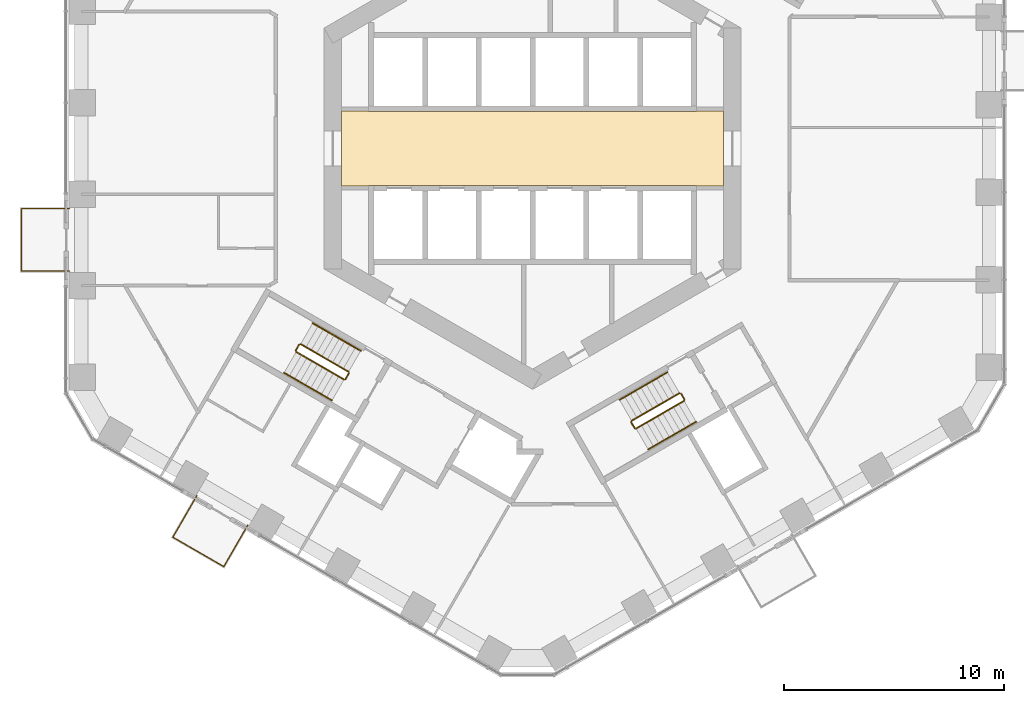
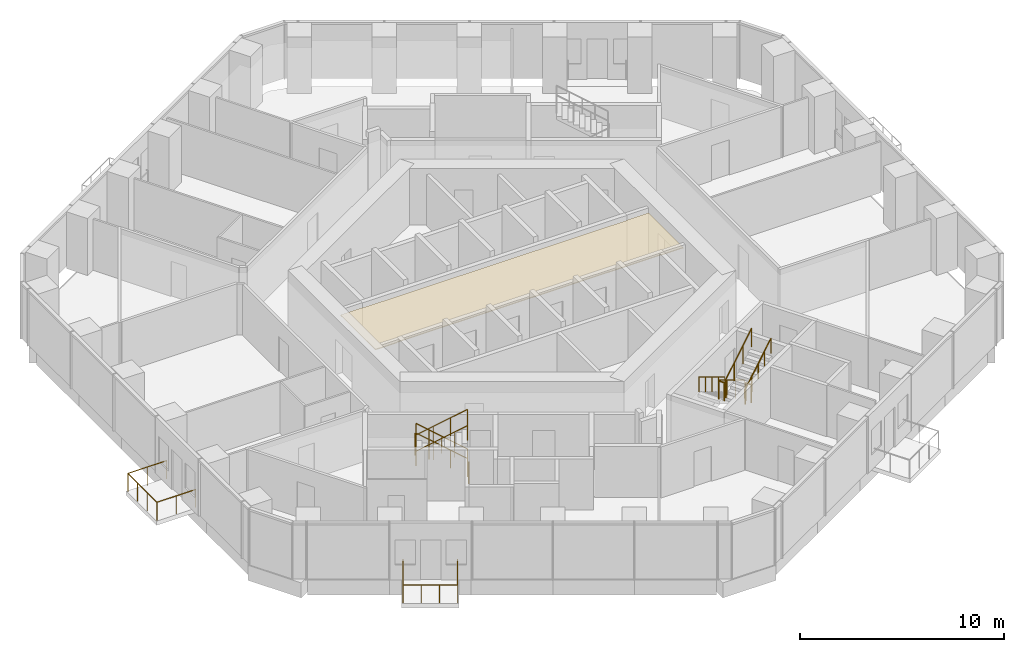
# One storey, part 17 of 19: 18 railings, 1 covering.
"""IFC4 building model written with IfcOpenShell, lengths in metres."""

from ifc_helpers import new_model, si_unit, direction, frame, origin, origin_2d, place, context, subcontext, project, spatial, polyline, circle, outline, extrude, material, layer, layer_set, type_object, element, save


model = new_model("IFC4")

# Units and contexts
model_context = context("Model", 3, precision=1e-05, world=origin(), true_north=direction((0.0, 1.0)))
body_context = subcontext(model_context, "Body", "Model", "MODEL_VIEW")
ifc_project = project(units=[si_unit("LENGTHUNIT", "METRE"), si_unit("AREAUNIT", "SQUARE_METRE"), si_unit("VOLUMEUNIT", "CUBIC_METRE"), si_unit("PLANEANGLEUNIT", "RADIAN"), si_unit("MASSUNIT", "GRAM", prefix="KILO")], contexts=[model_context])

# Site, building, storey
site_placement = place(None, origin())
site = spatial("IfcSite", under=ifc_project, at=site_placement, CompositionType="ELEMENT")
building_placement = place(site_placement, origin())
building = spatial("IfcBuilding", under=site, at=building_placement, Name="Ayvan Gate Tower", CompositionType="ELEMENT")
storey_placement = place(building_placement, frame((0.0, 0.0, 39.10009765625)))
storey = spatial("IfcBuildingStorey", under=building, at=storey_placement, Name="L09", CompositionType="ELEMENT", Elevation=39.10009765625)

# Railings
ifc_material_1 = material(Name="Stainless steel 316 and laminated glass", Category="steel")
railing_type_1 = type_object("IfcRailingType", Name="Balcony balustrade 1100", PredefinedType="BALUSTRADE", material=ifc_material_1)
railing_1_placement = place(storey_placement, frame((-21.09716796875, -2.740966796875, 0.0)))
element("IfcRailing", 1, at=railing_1_placement, inside=storey, type_object=railing_type_1, Name="Balcony balustrade BAL-L09-3", PredefinedType="BALUSTRADE", context=body_context, shape_type="SweptSolid", body=[
    extrude(circle(Radius=0.02490234375, at=origin_2d()), frame((0.0, 0.0, 1.0751953125), z_axis=(-1.0, 0.0, 0.0), x_axis=(0.0, -1.0, 0.0)), (0.0, 0.0, 1.0), 2.18994140625),
    extrude(circle(Radius=0.02490234375, at=origin_2d()), frame((-2.18994140625, 0.0, 1.0751953125), z_axis=(0.0, -1.0, 0.0), x_axis=(1.0, 0.0, 0.0)), (0.0, 0.0, 1.0), 2.842041015625),
    extrude(circle(Radius=0.02490234375, at=origin_2d()), frame((-2.18994140625, -2.842041015625, 1.0751953125), z_axis=(1.0, 0.0, 0.0), x_axis=(0.0, 1.0, 0.0)), (0.0, 0.0, 1.0), 2.18994140625),
    extrude(circle(Radius=0.02001953125, at=origin_2d()), origin(), (0.0, 0.0, 1.0), 1.050048828125),
    extrude(circle(Radius=0.02001953125, at=origin_2d()), frame((-1.094970703125, 0.0, 0.0)), (0.0, 0.0, 1.0), 1.050048828125),
    extrude(circle(Radius=0.02001953125, at=origin_2d()), frame((-2.18994140625, 0.0, 0.0)), (0.0, 0.0, 1.0), 1.050048828125),
    extrude(circle(Radius=0.02001953125, at=origin_2d()), frame((-2.18994140625, -0.947265625, 0.0)), (0.0, 0.0, 1.0), 1.050048828125),
    extrude(circle(Radius=0.02001953125, at=origin_2d()), frame((-2.18994140625, -1.894775390625, 0.0)), (0.0, 0.0, 1.0), 1.050048828125),
    extrude(circle(Radius=0.02001953125, at=origin_2d()), frame((-2.18994140625, -2.842041015625, 0.0)), (0.0, 0.0, 1.0), 1.050048828125),
    extrude(circle(Radius=0.02001953125, at=origin_2d()), frame((-1.094970703125, -2.842041015625, 0.0)), (0.0, 0.0, 1.0), 1.050048828125),
    extrude(circle(Radius=0.02001953125, at=origin_2d()), frame((0.0, -2.842041015625, 0.0)), (0.0, 0.0, 1.0), 1.050048828125),
])
railing_2_placement = place(storey_placement, frame((-15.28857421875, -15.80810546875, 0.0)))
element("IfcRailing", 2, at=railing_2_placement, inside=storey, type_object=railing_type_1, Name="Balcony balustrade BAL-L09-4", PredefinedType="BALUSTRADE", context=body_context, shape_type="SweptSolid", body=[
    extrude(circle(Radius=0.02490234375, at=origin_2d()), frame((0.0, 0.0, 1.0751953125), z_axis=(-0.499963694393, -0.866046363822, 0.0), x_axis=(0.866046363822, -0.499963694393, 0.0)), (0.0, 0.0, 1.0), 2.190185546875),
    extrude(circle(Radius=0.02490234375, at=origin_2d()), frame((-1.094970703125, -1.896728515625, 1.0751953125), z_axis=(0.86602917496, -0.499993468075, 0.0), x_axis=(0.499993468075, 0.86602917496, 0.0)), (0.0, 0.0, 1.0), 2.67724609375),
    extrude(circle(Radius=0.02490234375, at=origin_2d()), frame((1.2236328125, -3.2353515625, 1.0751953125), z_axis=(0.500011965869, 0.866018495177, 0.0), x_axis=(-0.866018495177, 0.500011965869, 0.0)), (0.0, 0.0, 1.0), 2.18994140625),
    extrude(circle(Radius=0.02001953125, at=origin_2d()), origin(), (0.0, 0.0, 1.0), 1.050048828125),
    extrude(circle(Radius=0.02001953125, at=origin_2d()), frame((-0.54736328125, -0.9482421875, 0.0)), (0.0, 0.0, 1.0), 1.050048828125),
    extrude(circle(Radius=0.02001953125, at=origin_2d()), frame((-1.094970703125, -1.896728515625, 0.0)), (0.0, 0.0, 1.0), 1.050048828125),
    extrude(circle(Radius=0.02001953125, at=origin_2d()), frame((-0.322021484375, -2.343017578125, 0.0)), (0.0, 0.0, 1.0), 1.050048828125),
    extrude(circle(Radius=0.02001953125, at=origin_2d()), frame((0.45068359375, -2.7890625, 0.0)), (0.0, 0.0, 1.0), 1.050048828125),
    extrude(circle(Radius=0.02001953125, at=origin_2d()), frame((1.2236328125, -3.2353515625, 0.0)), (0.0, 0.0, 1.0), 1.050048828125),
    extrude(circle(Radius=0.02001953125, at=origin_2d()), frame((1.77099609375, -2.287109375, 0.0)), (0.0, 0.0, 1.0), 1.050048828125),
    extrude(circle(Radius=0.02001953125, at=origin_2d()), frame((2.318603515625, -1.3388671875, 0.0)), (0.0, 0.0, 1.0), 1.050048828125),
])

# Covering
ifc_material_2 = material(Name="Plasterboard suspended ceiling")
ifc_layer = layer(ifc_material_2, 0.050048828125)
ifc_layer_set = layer_set([ifc_layer], Name="Plasterboard suspended ceiling")
covering_type = type_object("IfcCoveringType", Name="CT-SUSP-50", PredefinedType="CEILING", material=ifc_layer_set)
covering_placement = place(storey_placement, frame((0.0, 0.0, 2.699951171875)))
element("IfcCovering", 3, at=covering_placement, inside=storey, type_object=covering_type, Name="Ceiling Lift Lobby L09", PredefinedType="CEILING", context=body_context, shape_type="SweptSolid", body=[
    extrude(outline(polyline([(7.47509765625, -1.675048828125), (-7.47509765625, -1.675048828125), (-7.47509765625, -1.699951171875), (-8.699951171875, -1.699951171875), (-8.699951171875, 1.699951171875), (-7.47509765625, 1.699951171875), (-7.47509765625, 1.675048828125), (7.47509765625, 1.675048828125), (7.47509765625, 1.699951171875), (8.699951171875, 1.699951171875), (8.699951171875, -1.699951171875), (7.47509765625, -1.699951171875), (7.47509765625, -1.675048828125)])), origin(), (0.0, 0.0, 1.0), 0.050048828125),
])

# Railings
ifc_material_3 = material(Name="Stainless steel balustrade", Category="steel")
railing_type_2 = type_object("IfcRailingType", Name="RL-GUARD-1100", PredefinedType="GUARDRAIL", material=ifc_material_3)
railing_3_placement = place(storey_placement, frame((-8.381103515625, -10.16650390625, 0.169921875)))
element("IfcRailing", 4, at=railing_3_placement, inside=storey, type_object=railing_type_2, Name="L09 STS2 stair guard 1", PredefinedType="GUARDRAIL", context=body_context, shape_type="SweptSolid", body=[
    extrude(circle(Radius=0.02392578125, at=origin_2d()), frame((0.0, 0.0, 1.076171875), z_axis=(-0.740261155115, 0.427395438142, 0.518986090067), x_axis=(-0.500004791531, -0.866022637375, 0.0)), (0.0, 0.0, 1.0), 2.947998046875),
    extrude(circle(Radius=0.02099609375, at=origin_2d()), origin(), (0.0, 0.0, 1.0), 1.052001953125),
    extrude(circle(Radius=0.02099609375, at=origin_2d()), frame((-0.7275390625, 0.419921875, 0.510009765625)), (0.0, 0.0, 1.0), 1.052001953125),
    extrude(circle(Radius=0.02099609375, at=origin_2d()), frame((-1.454833984375, 0.840087890625, 1.02001953125)), (0.0, 0.0, 1.0), 1.052001953125),
    extrude(circle(Radius=0.02099609375, at=origin_2d()), frame((-2.182373046875, 1.260009765625, 1.530029296875)), (0.0, 0.0, 1.0), 1.052001953125),
])
railing_4_placement = place(storey_placement, frame((-10.6318359375, -8.9248046875, 1.699951171875)))
element("IfcRailing", 5, at=railing_4_placement, inside=storey, type_object=railing_type_2, Name="L09 STS2 stair guard 2", PredefinedType="GUARDRAIL", context=body_context, shape_type="SweptSolid", body=[
    extrude(circle(Radius=0.02392578125, at=origin_2d()), frame((0.0, 0.0, 1.076171875), z_axis=(-0.499949632511, -0.866054481515, 0.0), x_axis=(0.866054481515, -0.499949632511, 0.0)), (0.0, 0.0, 1.0), 0.31005859375),
    extrude(circle(Radius=0.02099609375, at=origin_2d()), origin(), (0.0, 0.0, 1.0), 1.052001953125),
    extrude(circle(Radius=0.02099609375, at=origin_2d()), frame((-0.155029296875, -0.2685546875, 0.0)), (0.0, 0.0, 1.0), 1.052001953125),
])
railing_5_placement = place(storey_placement, frame((-10.7685546875, -9.261474609375, 1.869873046875)))
element("IfcRailing", 6, at=railing_5_placement, inside=storey, type_object=railing_type_2, Name="L09 STS2 stair guard 3", PredefinedType="GUARDRAIL", context=body_context, shape_type="SweptSolid", body=[
    extrude(circle(Radius=0.02392578125, at=origin_2d()), frame((0.0, 0.0, 1.076171875), z_axis=(0.740261155115, -0.427395438142, 0.518986090067), x_axis=(0.500004791531, 0.866022637375, 0.0)), (0.0, 0.0, 1.0), 2.947998046875),
    extrude(circle(Radius=0.02099609375, at=origin_2d()), origin(), (0.0, 0.0, 1.0), 1.052001953125),
    extrude(circle(Radius=0.02099609375, at=origin_2d()), frame((0.7275390625, -0.419921875, 0.510009765625)), (0.0, 0.0, 1.0), 1.052001953125),
    extrude(circle(Radius=0.02099609375, at=origin_2d()), frame((1.454833984375, -0.840087890625, 1.02001953125)), (0.0, 0.0, 1.0), 1.052001953125),
    extrude(circle(Radius=0.02099609375, at=origin_2d()), frame((2.182373046875, -1.260009765625, 1.530029296875)), (0.0, 0.0, 1.0), 1.052001953125),
])
railing_6_placement = place(storey_placement, frame((-8.36279296875, -10.23486328125, 0.0)))
element("IfcRailing", 7, at=railing_6_placement, inside=storey, type_object=railing_type_2, Name="L09 STS2 stair guard 4", PredefinedType="GUARDRAIL", context=body_context, shape_type="SweptSolid", body=[
    extrude(circle(Radius=0.02392578125, at=origin_2d()), frame((0.0, 0.0, 1.076171875), z_axis=(-0.500290723946, -0.86585748916, 0.0), x_axis=(0.86585748916, -0.500290723946, 0.0)), (0.0, 0.0, 1.0), 0.309814453125),
    extrude(circle(Radius=0.02099609375, at=origin_2d()), origin(), (0.0, 0.0, 1.0), 1.052001953125),
    extrude(circle(Radius=0.02099609375, at=origin_2d()), frame((-0.155029296875, -0.268310546875, 0.0)), (0.0, 0.0, 1.0), 1.052001953125),
])
railing_7_placement = place(storey_placement, frame((6.6923828125, -11.1416015625, 0.169921875)))
element("IfcRailing", 8, at=railing_7_placement, inside=storey, type_object=railing_type_2, Name="L09 STS3 stair guard 1", PredefinedType="GUARDRAIL", context=body_context, shape_type="SweptSolid", body=[
    extrude(circle(Radius=0.02392578125, at=origin_2d()), frame((0.0, 0.0, 1.076171875), z_axis=(-0.740261155115, -0.427395438142, 0.518986090067), x_axis=(0.500004791531, -0.866022637375, 0.0)), (0.0, 0.0, 1.0), 2.947998046875),
    extrude(circle(Radius=0.02099609375, at=origin_2d()), origin(), (0.0, 0.0, 1.0), 1.052001953125),
    extrude(circle(Radius=0.02099609375, at=origin_2d()), frame((-0.7275390625, -0.419921875, 0.510009765625)), (0.0, 0.0, 1.0), 1.052001953125),
    extrude(circle(Radius=0.02099609375, at=origin_2d()), frame((-1.454833984375, -0.840087890625, 1.02001953125)), (0.0, 0.0, 1.0), 1.052001953125),
    extrude(circle(Radius=0.02099609375, at=origin_2d()), frame((-2.182373046875, -1.260009765625, 1.530029296875)), (0.0, 0.0, 1.0), 1.052001953125),
])
railing_8_placement = place(storey_placement, frame((4.49169921875, -12.4697265625, 1.699951171875)))
element("IfcRailing", 9, at=railing_8_placement, inside=storey, type_object=railing_type_2, Name="L09 STS3 stair guard 2", PredefinedType="GUARDRAIL", context=body_context, shape_type="SweptSolid", body=[
    extrude(circle(Radius=0.02392578125, at=origin_2d()), frame((0.0, 0.0, 1.076171875), z_axis=(0.499949632511, -0.866054481515, 0.0), x_axis=(0.866054481515, 0.499949632511, 0.0)), (0.0, 0.0, 1.0), 0.31005859375),
    extrude(circle(Radius=0.02099609375, at=origin_2d()), origin(), (0.0, 0.0, 1.0), 1.052001953125),
    extrude(circle(Radius=0.02099609375, at=origin_2d()), frame((0.155029296875, -0.2685546875, 0.0)), (0.0, 0.0, 1.0), 1.052001953125),
])
railing_9_placement = place(storey_placement, frame((4.715087890625, -12.756591796875, 1.869873046875)))
element("IfcRailing", 10, at=railing_9_placement, inside=storey, type_object=railing_type_2, Name="L09 STS3 stair guard 3", PredefinedType="GUARDRAIL", context=body_context, shape_type="SweptSolid", body=[
    extrude(circle(Radius=0.02392578125, at=origin_2d()), frame((0.0, 0.0, 1.076171875), z_axis=(0.740261155115, 0.427395438142, 0.518986090067), x_axis=(-0.500004791531, 0.866022637375, 0.0)), (0.0, 0.0, 1.0), 2.947998046875),
    extrude(circle(Radius=0.02099609375, at=origin_2d()), origin(), (0.0, 0.0, 1.0), 1.052001953125),
    extrude(circle(Radius=0.02099609375, at=origin_2d()), frame((0.7275390625, 0.419921875, 0.510009765625)), (0.0, 0.0, 1.0), 1.052001953125),
    extrude(circle(Radius=0.02099609375, at=origin_2d()), frame((1.454833984375, 0.840087890625, 1.02001953125)), (0.0, 0.0, 1.0), 1.052001953125),
    extrude(circle(Radius=0.02099609375, at=origin_2d()), frame((2.182373046875, 1.260009765625, 1.530029296875)), (0.0, 0.0, 1.0), 1.052001953125),
])
railing_10_placement = place(storey_placement, frame((6.7607421875, -11.159912109375, 0.0)))
element("IfcRailing", 11, at=railing_10_placement, inside=storey, type_object=railing_type_2, Name="L09 STS3 stair guard 4", PredefinedType="GUARDRAIL", context=body_context, shape_type="SweptSolid", body=[
    extrude(circle(Radius=0.02392578125, at=origin_2d()), frame((0.0, 0.0, 1.076171875), z_axis=(0.500290723946, -0.86585748916, 0.0), x_axis=(0.86585748916, 0.500290723946, 0.0)), (0.0, 0.0, 1.0), 0.309814453125),
    extrude(circle(Radius=0.02099609375, at=origin_2d()), origin(), (0.0, 0.0, 1.0), 1.052001953125),
    extrude(circle(Radius=0.02099609375, at=origin_2d()), frame((0.155029296875, -0.268310546875, 0.0)), (0.0, 0.0, 1.0), 1.052001953125),
])
railing_type_3 = type_object("IfcRailingType", Name="RL-HANDRAIL-900", PredefinedType="HANDRAIL", material=ifc_material_3)
railing_11_placement = place(storey_placement, frame((-7.8310546875, -9.2138671875, 0.169921875)))
element("IfcRailing", 12, at=railing_11_placement, inside=storey, type_object=railing_type_3, Name="L09 STS2 stair handrail 1", PredefinedType="HANDRAIL", context=body_context, shape_type="SweptSolid", body=[
    extrude(circle(Radius=0.02392578125, at=origin_2d()), frame((0.0, 0.0, 0.8759765625), z_axis=(-0.740356597536, 0.427319915356, 0.518912129772), x_axis=(-0.499890179513, -0.866088799389, 0.0)), (0.0, 0.0, 1.0), 1.47412109375),
    extrude(circle(Radius=0.02099609375, at=origin_2d()), origin(), (0.0, 0.0, 1.0), 0.851806640625),
    extrude(circle(Radius=0.02099609375, at=origin_2d()), frame((-0.545654296875, 0.31494140625, 0.38232421875)), (0.0, 0.0, 1.0), 0.851806640625),
    extrude(circle(Radius=0.02099609375, at=origin_2d()), frame((-1.09130859375, 0.6298828125, 0.764892578125)), (0.0, 0.0, 1.0), 0.851806640625),
])
railing_12_placement = place(storey_placement, frame((-8.92236328125, -8.583984375, 0.934814453125)))
element("IfcRailing", 13, at=railing_12_placement, inside=storey, type_object=railing_type_3, Name="L09 STS2 stair handrail 2", PredefinedType="HANDRAIL", context=body_context, shape_type="SweptSolid", body=[
    extrude(circle(Radius=0.02392578125, at=origin_2d()), frame((0.0, 0.0, 0.8759765625), z_axis=(-0.740165700939, 0.427470949681, 0.519060037311), x_axis=(-0.50011940292, -0.865956455501, 0.0)), (0.0, 0.0, 1.0), 1.47412109375),
    extrude(circle(Radius=0.02099609375, at=origin_2d()), origin(), (0.0, 0.0, 1.0), 0.851806640625),
    extrude(circle(Radius=0.02099609375, at=origin_2d()), frame((-0.54541015625, 0.31494140625, 0.382568359375)), (0.0, 0.0, 1.0), 0.851806640625),
    extrude(circle(Radius=0.02099609375, at=origin_2d()), frame((-1.091064453125, 0.630126953125, 0.76513671875)), (0.0, 0.0, 1.0), 0.851806640625),
])
railing_13_placement = place(storey_placement, frame((-11.318603515625, -10.214111328125, 1.869873046875)))
element("IfcRailing", 14, at=railing_13_placement, inside=storey, type_object=railing_type_3, Name="L09 STS2 stair handrail 3", PredefinedType="HANDRAIL", context=body_context, shape_type="SweptSolid", body=[
    extrude(circle(Radius=0.02392578125, at=origin_2d()), frame((0.0, 0.0, 0.8759765625), z_axis=(0.740240574041, -0.427418550694, 0.518996411419), x_axis=(0.500035496587, 0.86600490885, 0.0)), (0.0, 0.0, 1.0), 1.474365234375),
    extrude(circle(Radius=0.02099609375, at=origin_2d()), origin(), (0.0, 0.0, 1.0), 0.851806640625),
    extrude(circle(Radius=0.02099609375, at=origin_2d()), frame((0.545654296875, -0.31494140625, 0.382568359375)), (0.0, 0.0, 1.0), 0.851806640625),
    extrude(circle(Radius=0.02099609375, at=origin_2d()), frame((1.09130859375, -0.630126953125, 0.76513671875)), (0.0, 0.0, 1.0), 0.851806640625),
])
railing_14_placement = place(storey_placement, frame((-10.227294921875, -10.84423828125, 2.635009765625)))
element("IfcRailing", 15, at=railing_14_placement, inside=storey, type_object=railing_type_3, Name="L09 STS2 stair handrail 4", PredefinedType="HANDRAIL", context=body_context, shape_type="SweptSolid", body=[
    extrude(circle(Radius=0.02392578125, at=origin_2d()), frame((0.0, 0.0, 0.8759765625), z_axis=(0.740356597536, -0.427319915356, 0.518912129772), x_axis=(0.499890179513, 0.866088799389, 0.0)), (0.0, 0.0, 1.0), 1.47412109375),
    extrude(circle(Radius=0.02099609375, at=origin_2d()), origin(), (0.0, 0.0, 1.0), 0.851806640625),
    extrude(circle(Radius=0.02099609375, at=origin_2d()), frame((0.545654296875, -0.31494140625, 0.38232421875)), (0.0, 0.0, 1.0), 0.851806640625),
    extrude(circle(Radius=0.02099609375, at=origin_2d()), frame((1.09130859375, -0.6298828125, 0.764892578125)), (0.0, 0.0, 1.0), 0.851806640625),
])
railing_15_placement = place(storey_placement, frame((6.142333984375, -10.18896484375, 0.169921875)))
element("IfcRailing", 16, at=railing_15_placement, inside=storey, type_object=railing_type_3, Name="L09 STS3 stair handrail 1", PredefinedType="HANDRAIL", context=body_context, shape_type="SweptSolid", body=[
    extrude(circle(Radius=0.02392578125, at=origin_2d()), frame((0.0, 0.0, 0.8759765625), z_axis=(-0.740281741151, -0.427372318678, 0.518975765278), x_axis=(0.499974077718, -0.866040369504, 0.0)), (0.0, 0.0, 1.0), 1.473876953125),
    extrude(circle(Radius=0.02099609375, at=origin_2d()), origin(), (0.0, 0.0, 1.0), 0.851806640625),
    extrude(circle(Radius=0.02099609375, at=origin_2d()), frame((-0.54541015625, -0.31494140625, 0.38232421875)), (0.0, 0.0, 1.0), 0.851806640625),
    extrude(circle(Radius=0.02099609375, at=origin_2d()), frame((-1.091064453125, -0.6298828125, 0.764892578125)), (0.0, 0.0, 1.0), 0.851806640625),
])
railing_16_placement = place(storey_placement, frame((5.05126953125, -10.81884765625, 0.934814453125)))
element("IfcRailing", 17, at=railing_16_placement, inside=storey, type_object=railing_type_3, Name="L09 STS3 stair handrail 2", PredefinedType="HANDRAIL", context=body_context, shape_type="SweptSolid", body=[
    extrude(circle(Radius=0.02392578125, at=origin_2d()), frame((0.0, 0.0, 0.8759765625), z_axis=(-0.740240574041, -0.427418550694, 0.518996411419), x_axis=(0.500035496587, -0.86600490885, 0.0)), (0.0, 0.0, 1.0), 1.474365234375),
    extrude(circle(Radius=0.02099609375, at=origin_2d()), origin(), (0.0, 0.0, 1.0), 0.851806640625),
    extrude(circle(Radius=0.02099609375, at=origin_2d()), frame((-0.545654296875, -0.31494140625, 0.382568359375)), (0.0, 0.0, 1.0), 0.851806640625),
    extrude(circle(Radius=0.02099609375, at=origin_2d()), frame((-1.09130859375, -0.630126953125, 0.76513671875)), (0.0, 0.0, 1.0), 0.851806640625),
])
railing_17_placement = place(storey_placement, frame((5.264892578125, -13.709228515625, 1.869873046875)))
element("IfcRailing", 18, at=railing_17_placement, inside=storey, type_object=railing_type_3, Name="L09 STS3 stair handrail 3", PredefinedType="HANDRAIL", context=body_context, shape_type="SweptSolid", body=[
    extrude(circle(Radius=0.02392578125, at=origin_2d()), frame((0.0, 0.0, 0.8759765625), z_axis=(0.740240574041, 0.427418550694, 0.518996411419), x_axis=(-0.500035496587, 0.86600490885, 0.0)), (0.0, 0.0, 1.0), 1.474365234375),
    extrude(circle(Radius=0.02099609375, at=origin_2d()), origin(), (0.0, 0.0, 1.0), 0.851806640625),
    extrude(circle(Radius=0.02099609375, at=origin_2d()), frame((0.545654296875, 0.31494140625, 0.382568359375)), (0.0, 0.0, 1.0), 0.851806640625),
    extrude(circle(Radius=0.02099609375, at=origin_2d()), frame((1.09130859375, 0.630126953125, 0.76513671875)), (0.0, 0.0, 1.0), 0.851806640625),
])
railing_18_placement = place(storey_placement, frame((6.356201171875, -13.0791015625, 2.635009765625)))
element("IfcRailing", 19, at=railing_18_placement, inside=storey, type_object=railing_type_3, Name="L09 STS3 stair handrail 4", PredefinedType="HANDRAIL", context=body_context, shape_type="SweptSolid", body=[
    extrude(circle(Radius=0.02392578125, at=origin_2d()), frame((0.0, 0.0, 0.8759765625), z_axis=(0.740281741151, 0.427372318678, 0.518975765278), x_axis=(-0.499974077718, 0.866040369504, 0.0)), (0.0, 0.0, 1.0), 1.473876953125),
    extrude(circle(Radius=0.02099609375, at=origin_2d()), origin(), (0.0, 0.0, 1.0), 0.851806640625),
    extrude(circle(Radius=0.02099609375, at=origin_2d()), frame((0.54541015625, 0.31494140625, 0.38232421875)), (0.0, 0.0, 1.0), 0.851806640625),
    extrude(circle(Radius=0.02099609375, at=origin_2d()), frame((1.091064453125, 0.6298828125, 0.764892578125)), (0.0, 0.0, 1.0), 0.851806640625),
])

save(model, "model.ifc")
